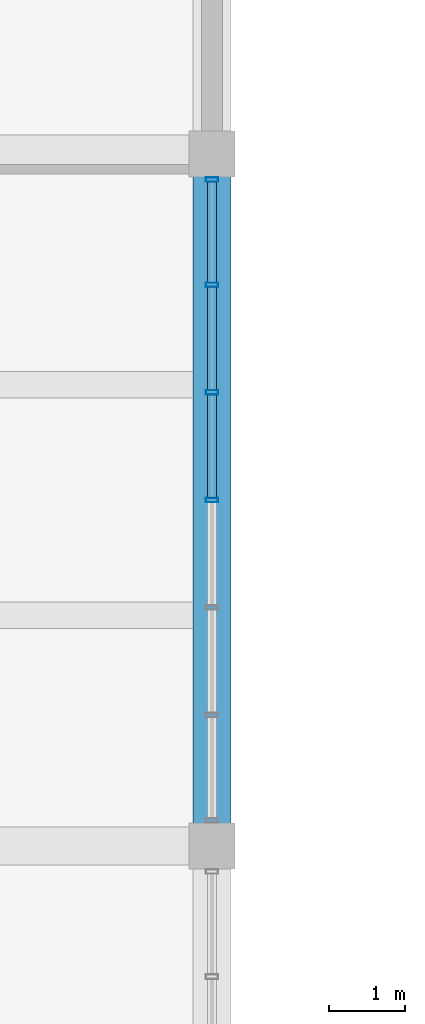
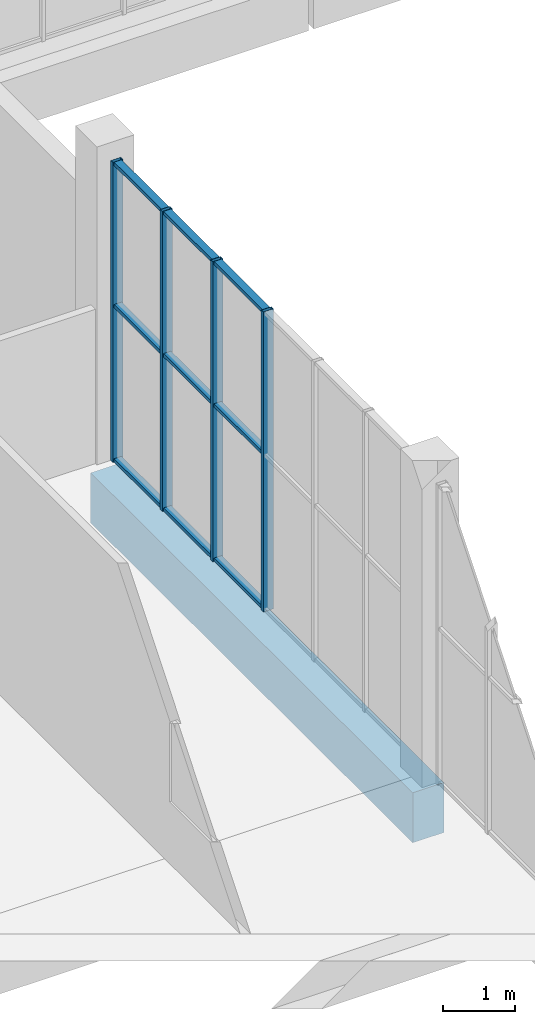
# One storey, part 55 of 132: 13 members, 1 beam, 1 element without a shape of its own.
"""IFC4 building model written with IfcOpenShell, lengths in metres."""

from ifc_helpers import new_model, si_unit, direction, frame, origin, origin_2d, place, context, subcontext, project, spatial, rectangle, hollow_rectangle, extrude, material, material_profile, profile_set, type_object, element, aggregate, save


model = new_model("IFC4")

# Units and contexts
model_context = context("Model", 3, precision=1e-05, world=origin(), true_north=direction((0.0, 1.0)))
body_context = subcontext(model_context, "Body", "Model", "MODEL_VIEW")
ifc_project = project(units=[si_unit("LENGTHUNIT", "METRE"), si_unit("AREAUNIT", "SQUARE_METRE"), si_unit("VOLUMEUNIT", "CUBIC_METRE"), si_unit("PLANEANGLEUNIT", "RADIAN"), si_unit("MASSUNIT", "GRAM", prefix="KILO")], contexts=[model_context])

# Site, building, storey
site_placement = place(None, origin())
site = spatial("IfcSite", under=ifc_project, at=site_placement, CompositionType="ELEMENT")
building_placement = place(site_placement, origin())
building = spatial("IfcBuilding", under=site, at=building_placement, Name="Khurvash Pelagic Aquarium", CompositionType="ELEMENT")
storey_placement = place(building_placement, frame((0.0, 0.0, 5.39990234375)))
storey = spatial("IfcBuildingStorey", under=building, at=storey_placement, Name="L01", CompositionType="ELEMENT", Elevation=5.39990234375)

# Curtain wall, members
ifc_material_1 = material(Name="Anodised aluminium and low-E laminated glass", Category="aluminium")
curtain_wall_type = type_object("IfcCurtainWallType", Name="CW-06", PredefinedType="USERDEFINED", material=ifc_material_1)
curtain_wall_placement = place(storey_placement, origin())
curtain_wall = element("IfcCurtainWall", 1, at=curtain_wall_placement, inside=storey, type_object=curtain_wall_type, Name="L01 Facade Unitised Curtain Wall CW-06 0133", ObjectType="UNITISED CURTAIN WALL", PredefinedType="USERDEFINED")
ifc_material_2 = material(Name="Extruded aluminium AW-6063-T6", Category="aluminium")
ifc_material_profile_1 = material_profile(ifc_material_2, hollow_rectangle(XDim=0.06005859375, YDim=0.159912109375, WallThickness=0.00390625, at=origin_2d()), Name="CWM60X160X4")
ifc_profile_set_1 = profile_set([ifc_material_profile_1], Name="Extruded aluminium AW-6063-T6")
member_type_1 = type_object("IfcMemberType", Name="CM-02", PredefinedType="MULLION", material=ifc_profile_set_1)
member_1_placement = place(storey_placement, frame((33.60009765625, 79.52490234375, 0.0), z_axis=(0.0, 0.0, 1.0), x_axis=(0.0, 1.0, 0.0)))
member_1 = element("IfcMember", 2, at=member_1_placement, type_object=member_type_1, Name="CW-06 mullion 4", PredefinedType="MULLION", context=body_context, shape_type="SweptSolid", body=[
    extrude(hollow_rectangle(XDim=0.06005859375, YDim=0.159912109375, WallThickness=0.00390625, at=origin_2d()), origin(), (0.0, 0.0, 1.0), 5.10009765625),
])
member_2_placement = place(storey_placement, frame((33.60009765625, 80.931640625, 0.0), z_axis=(0.0, 0.0, 1.0), x_axis=(0.0, 1.0, 0.0)))
member_2 = element("IfcMember", 3, at=member_2_placement, type_object=member_type_1, Name="CW-06 mullion 5", PredefinedType="MULLION", context=body_context, shape_type="SweptSolid", body=[
    extrude(hollow_rectangle(XDim=0.06005859375, YDim=0.159912109375, WallThickness=0.00390625, at=origin_2d()), origin(), (0.0, 0.0, 1.0), 5.10009765625),
])
member_3_placement = place(storey_placement, frame((33.60009765625, 82.33837890625, 0.0), z_axis=(0.0, 0.0, 1.0), x_axis=(0.0, 1.0, 0.0)))
member_3 = element("IfcMember", 4, at=member_3_placement, type_object=member_type_1, Name="CW-06 mullion 6", PredefinedType="MULLION", context=body_context, shape_type="SweptSolid", body=[
    extrude(hollow_rectangle(XDim=0.06005859375, YDim=0.159912109375, WallThickness=0.00390625, at=origin_2d()), origin(), (0.0, 0.0, 1.0), 5.10009765625),
])
member_4_placement = place(storey_placement, frame((33.60009765625, 83.715087890625, 0.0), z_axis=(0.0, 0.0, 1.0), x_axis=(0.0, 1.0, 0.0)))
member_4 = element("IfcMember", 5, at=member_4_placement, type_object=member_type_1, Name="CW-06 mullion 7", PredefinedType="MULLION", context=body_context, shape_type="SweptSolid", body=[
    extrude(hollow_rectangle(XDim=0.06005859375, YDim=0.159912109375, WallThickness=0.00390625, at=origin_2d()), origin(), (0.0, 0.0, 1.0), 5.10009765625),
])
ifc_material_profile_2 = material_profile(ifc_material_2, hollow_rectangle(XDim=0.1201171875, YDim=0.06005859375, WallThickness=0.00390625, at=origin_2d()), Name="CWT120X60X4")
ifc_profile_set_2 = profile_set([ifc_material_profile_2], Name="Extruded aluminium AW-6063-T6")
member_type_2 = type_object("IfcMemberType", Name="CT-02", PredefinedType="USERDEFINED", material=ifc_profile_set_2)
member_5_placement = place(storey_placement, frame((33.60009765625, 79.554931640625, 0.030029296875), z_axis=(0.0, 1.0, 0.0), x_axis=(-1.0, 0.0, 0.0)))
member_5 = element("IfcMember", 6, at=member_5_placement, type_object=member_type_2, Name="CW-06 transom 4.1", ObjectType="TRANSOM", PredefinedType="USERDEFINED", context=body_context, shape_type="SweptSolid", body=[
    extrude(hollow_rectangle(XDim=0.1201171875, YDim=0.06005859375, WallThickness=0.00390625, at=origin_2d()), origin(), (0.0, 0.0, 1.0), 1.3466796875),
])
member_6_placement = place(storey_placement, frame((33.60009765625, 79.554931640625, 2.652099609375), z_axis=(0.0, 1.0, 0.0), x_axis=(-1.0, 0.0, 0.0)))
member_6 = element("IfcMember", 7, at=member_6_placement, type_object=member_type_2, Name="CW-06 transom 4.2", ObjectType="TRANSOM", PredefinedType="USERDEFINED", context=body_context, shape_type="SweptSolid", body=[
    extrude(hollow_rectangle(XDim=0.1201171875, YDim=0.06005859375, WallThickness=0.00390625, at=origin_2d()), origin(), (0.0, 0.0, 1.0), 1.3466796875),
])
member_7_placement = place(storey_placement, frame((33.60009765625, 79.554931640625, 5.070068359375), z_axis=(0.0, 1.0, 0.0), x_axis=(-1.0, 0.0, 0.0)))
member_7 = element("IfcMember", 8, at=member_7_placement, type_object=member_type_2, Name="CW-06 transom 4.3", ObjectType="TRANSOM", PredefinedType="USERDEFINED", context=body_context, shape_type="SweptSolid", body=[
    extrude(hollow_rectangle(XDim=0.1201171875, YDim=0.06005859375, WallThickness=0.00390625, at=origin_2d()), origin(), (0.0, 0.0, 1.0), 1.3466796875),
])
member_8_placement = place(storey_placement, frame((33.60009765625, 80.961669921875, 0.030029296875), z_axis=(0.0, 1.0, 0.0), x_axis=(-1.0, 0.0, 0.0)))
member_8 = element("IfcMember", 9, at=member_8_placement, type_object=member_type_2, Name="CW-06 transom 5.1", ObjectType="TRANSOM", PredefinedType="USERDEFINED", context=body_context, shape_type="SweptSolid", body=[
    extrude(hollow_rectangle(XDim=0.1201171875, YDim=0.06005859375, WallThickness=0.00390625, at=origin_2d()), origin(), (0.0, 0.0, 1.0), 1.3466796875),
])
member_9_placement = place(storey_placement, frame((33.60009765625, 80.961669921875, 2.652099609375), z_axis=(0.0, 1.0, 0.0), x_axis=(-1.0, 0.0, 0.0)))
member_9 = element("IfcMember", 10, at=member_9_placement, type_object=member_type_2, Name="CW-06 transom 5.2", ObjectType="TRANSOM", PredefinedType="USERDEFINED", context=body_context, shape_type="SweptSolid", body=[
    extrude(hollow_rectangle(XDim=0.1201171875, YDim=0.06005859375, WallThickness=0.00390625, at=origin_2d()), origin(), (0.0, 0.0, 1.0), 1.3466796875),
])
member_10_placement = place(storey_placement, frame((33.60009765625, 80.961669921875, 5.070068359375), z_axis=(0.0, 1.0, 0.0), x_axis=(-1.0, 0.0, 0.0)))
member_10 = element("IfcMember", 11, at=member_10_placement, type_object=member_type_2, Name="CW-06 transom 5.3", ObjectType="TRANSOM", PredefinedType="USERDEFINED", context=body_context, shape_type="SweptSolid", body=[
    extrude(hollow_rectangle(XDim=0.1201171875, YDim=0.06005859375, WallThickness=0.00390625, at=origin_2d()), origin(), (0.0, 0.0, 1.0), 1.3466796875),
])
member_11_placement = place(storey_placement, frame((33.60009765625, 82.368408203125, 0.030029296875), z_axis=(0.0, 1.0, 0.0), x_axis=(-1.0, 0.0, 0.0)))
member_11 = element("IfcMember", 12, at=member_11_placement, type_object=member_type_2, Name="CW-06 transom 6.1", ObjectType="TRANSOM", PredefinedType="USERDEFINED", context=body_context, shape_type="SweptSolid", body=[
    extrude(hollow_rectangle(XDim=0.1201171875, YDim=0.06005859375, WallThickness=0.00390625, at=origin_2d()), origin(), (0.0, 0.0, 1.0), 1.316650390625),
])
member_12_placement = place(storey_placement, frame((33.60009765625, 82.368408203125, 2.652099609375), z_axis=(0.0, 1.0, 0.0), x_axis=(-1.0, 0.0, 0.0)))
member_12 = element("IfcMember", 13, at=member_12_placement, type_object=member_type_2, Name="CW-06 transom 6.2", ObjectType="TRANSOM", PredefinedType="USERDEFINED", context=body_context, shape_type="SweptSolid", body=[
    extrude(hollow_rectangle(XDim=0.1201171875, YDim=0.06005859375, WallThickness=0.00390625, at=origin_2d()), origin(), (0.0, 0.0, 1.0), 1.316650390625),
])
member_13_placement = place(storey_placement, frame((33.60009765625, 82.368408203125, 5.070068359375), z_axis=(0.0, 1.0, 0.0), x_axis=(-1.0, 0.0, 0.0)))
member_13 = element("IfcMember", 14, at=member_13_placement, type_object=member_type_2, Name="CW-06 transom 6.3", ObjectType="TRANSOM", PredefinedType="USERDEFINED", context=body_context, shape_type="SweptSolid", body=[
    extrude(hollow_rectangle(XDim=0.1201171875, YDim=0.06005859375, WallThickness=0.00390625, at=origin_2d()), origin(), (0.0, 0.0, 1.0), 1.316650390625),
])
aggregate(curtain_wall, [member_1, member_2, member_3, member_4, member_5, member_6, member_7, member_8, member_9, member_10, member_11, member_12, member_13])

# Beam
ifc_material_3 = material(Name="Concrete C40/50", Category="concrete")
ifc_material_profile_3 = material_profile(ifc_material_3, rectangle(XDim=0.5, YDim=0.85009765625, at=origin_2d()), Name="RC500X850")
ifc_profile_set_3 = profile_set([ifc_material_profile_3], Name="Concrete C40/50")
beam_type = type_object("IfcBeamType", Name="SEB-03", PredefinedType="SPANDREL", material=ifc_profile_set_3)
beam_placement = place(storey_placement, frame((33.60009765625, 75.0400390625, -0.73486328125), z_axis=(0.0, 1.0, 0.0), x_axis=(-1.0, 0.0, 0.0)))
element("IfcBeam", 15, at=beam_placement, inside=storey, type_object=beam_type, Name="L01 Primary Girder SEB-03 00377", PredefinedType="SPANDREL", context=body_context, shape_type="SweptSolid", body=[
    extrude(rectangle(XDim=0.5, YDim=0.85009765625, at=origin_2d()), origin(), (0.0, 0.0, 1.0), 8.969970703125),
])

save(model, "model.ifc")
